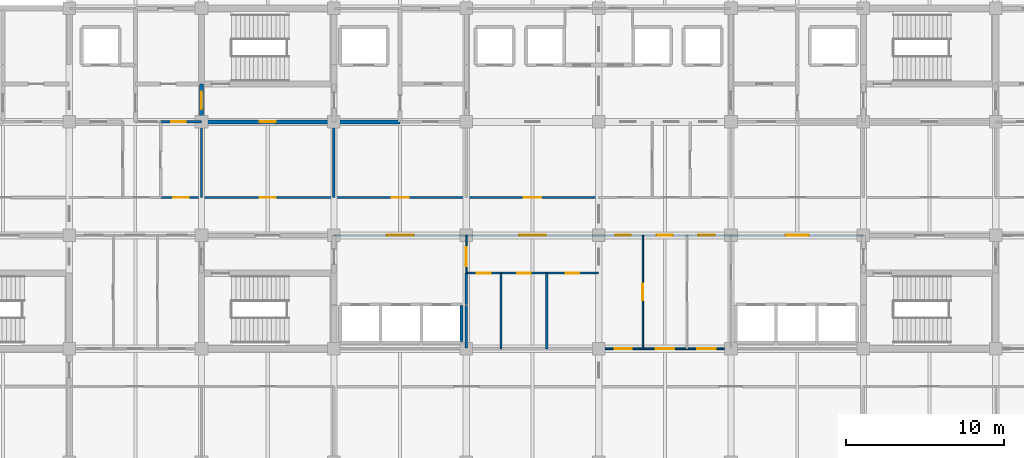
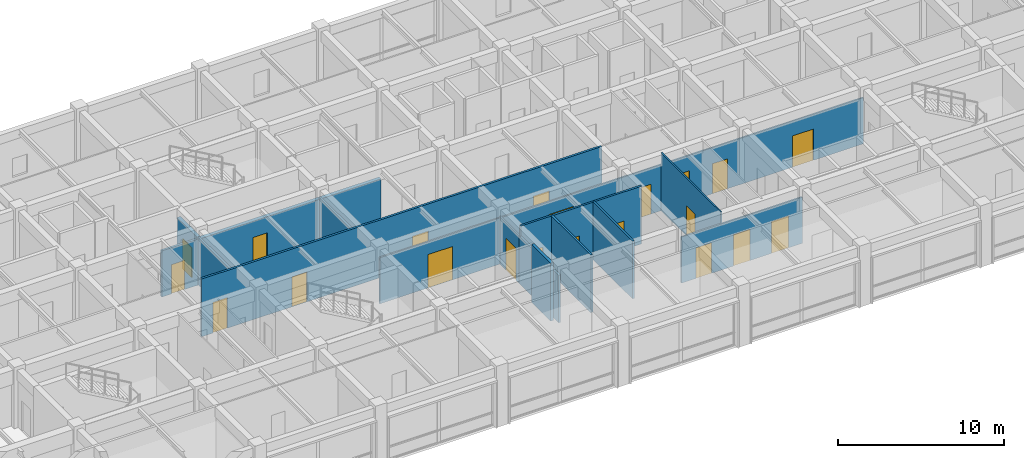
# One storey, part 18 of 30: 21 doors, 16 walls, 21 openings.
"""IFC4 building model written with IfcOpenShell, lengths in metres."""

from ifc_helpers import new_model, si_unit, direction, frame, frame_2d, origin, place, context, subcontext, project, spatial, rectangle, extrude, material, layer, layer_set, type_object, element, fill, save


model = new_model("IFC4")

# Units and contexts
model_context = context("Model", 3, precision=1e-05, world=origin(), true_north=direction((0.0, 1.0)))
body_context = subcontext(model_context, "Body", "Model", "MODEL_VIEW")
ifc_project = project(units=[si_unit("LENGTHUNIT", "METRE"), si_unit("AREAUNIT", "SQUARE_METRE"), si_unit("VOLUMEUNIT", "CUBIC_METRE"), si_unit("PLANEANGLEUNIT", "RADIAN"), si_unit("MASSUNIT", "GRAM", prefix="KILO")], contexts=[model_context])

# Site, building, storey
site_placement = place(None, origin())
site = spatial("IfcSite", under=ifc_project, at=site_placement, CompositionType="ELEMENT")
building_placement = place(site_placement, origin())
building = spatial("IfcBuilding", under=site, at=building_placement, Name="Chengyuan Square Courthouse", CompositionType="ELEMENT")
storey_placement = place(building_placement, frame((0.0, 0.0, 26.10009765625)))
storey = spatial("IfcBuildingStorey", under=building, at=storey_placement, Name="L06", CompositionType="ELEMENT", Elevation=26.10009765625)

# Wall, opening, door
ifc_material_1 = material(Name="Concrete C40", Category="concrete")
ifc_layer_1 = layer(ifc_material_1, 0.25)
ifc_layer_set_1 = layer_set([ifc_layer_1], Name="Concrete C40")
wall_type_1 = type_object("IfcWallType", Name="WL-FW1", PredefinedType="STANDARD", material=ifc_layer_set_1)
wall_1_placement = place(storey_placement, frame((58.800048828125, 100.800048828125, 0.0), z_axis=(0.0, 0.0, 1.0), x_axis=(1.0, 0.0, 0.0)))
wall_1 = element("IfcWall", 1, at=wall_1_placement, inside=storey, type_object=wall_type_1, Name="Interior Wall WL-L06-I2417", PredefinedType="STANDARD", context=body_context, shape_type="SweptSolid", body=[
    extrude(rectangle(XDim=12.599853515625, YDim=0.25, at=frame_2d((6.2998046875, 0.0))), origin(), (0.0, 0.0, 1.0), 3.389892578125),
])
opening_1_placement = place(wall_1_placement, frame((3.699951171875, 0.0, 0.0)))
opening_1 = element("IfcOpeningElement", 2, at=opening_1_placement, cuts=wall_1, Name="Opening DR-2119", PredefinedType="OPENING", context=body_context, shape_type="SweptSolid", body=[
    extrude(rectangle(XDim=1.0, YDim=2.199951171875, at=frame_2d((0.5, 1.10009765625))), frame((0.0, 0.136962890625, 0.0), z_axis=(0.0, -1.0, 0.0), x_axis=(1.0, 0.0, 0.0)), (0.0, 0.0, 1.0), 0.27392578125),
])
ifc_material_2 = material(Name="Steel Q235B Fire Door", Category="steel")
door_type_1 = type_object("IfcDoorType", Name="DT-11", OperationType="NOTDEFINED", PredefinedType="DOOR", material=ifc_material_2)
door_1_placement = place(opening_1_placement, origin())
door_1 = element("IfcDoor", 3, at=door_1_placement, inside=storey, type_object=door_type_1, Name="Interior Door DR-2119", OperationType="SINGLE_SWING_LEFT", OverallHeight=2.199951171875, OverallWidth=1.0, PredefinedType="DOOR", context=body_context, shape_type="SweptSolid", body=[
    extrude(rectangle(XDim=1.0, YDim=2.199951171875, at=frame_2d((0.5, 1.10009765625))), frame((0.0, 0.02490234375, 0.0), z_axis=(0.0, -1.0, 0.0), x_axis=(1.0, 0.0, 0.0)), (0.0, 0.0, 1.0), 0.050048828125),
])
fill(opening_1, door_1)

wall_2_placement = place(storey_placement, frame((58.800048828125, 100.800048828125, 0.0), z_axis=(0.0, 0.0, 1.0), x_axis=(0.0, 1.0, 0.0)))
wall_2 = element("IfcWall", 4, at=wall_2_placement, inside=storey, type_object=wall_type_1, Name="Interior Wall WL-L06-I2513", PredefinedType="STANDARD", context=body_context, shape_type="SweptSolid", body=[
    extrude(rectangle(XDim=2.39990234375, YDim=0.25, at=frame_2d((1.199951171875, 0.0))), origin(), (0.0, 0.0, 1.0), 3.489990234375),
])
opening_2_placement = place(wall_2_placement, frame((0.81005859375, 0.0, 0.0)))
opening_2 = element("IfcOpeningElement", 5, at=opening_2_placement, cuts=wall_2, Name="Opening DR-2118", PredefinedType="OPENING", context=body_context, shape_type="SweptSolid", body=[
    extrude(rectangle(XDim=1.10009765625, YDim=2.199951171875, at=frame_2d((0.550048828125, 1.10009765625))), frame((0.0, 0.136962890625, 0.0), z_axis=(0.0, -1.0, 0.0), x_axis=(1.0, 0.0, 0.0)), (0.0, 0.0, 1.0), 0.27392578125),
])
door_type_2 = type_object("IfcDoorType", Name="DT-10", OperationType="NOTDEFINED", PredefinedType="DOOR", material=ifc_material_2)
door_2_placement = place(opening_2_placement, origin())
door_2 = element("IfcDoor", 6, at=door_2_placement, inside=storey, type_object=door_type_2, Name="Interior Door DR-2118", OperationType="SINGLE_SWING_RIGHT", OverallHeight=2.199951171875, OverallWidth=1.10009765625, PredefinedType="DOOR", context=body_context, shape_type="SweptSolid", body=[
    extrude(rectangle(XDim=1.10009765625, YDim=2.199951171875, at=frame_2d((0.550048828125, 1.10009765625))), frame((0.0, 0.02490234375, 0.0), z_axis=(0.0, -1.0, 0.0), x_axis=(1.0, 0.0, 0.0)), (0.0, 0.0, 1.0), 0.050048828125),
])
fill(opening_2, door_2)

# Wall, openings, doors
ifc_material_3 = material(Name="Deliberation Room Sound-Insulated Partition")
ifc_layer_2 = layer(ifc_material_3, 0.14990234375)
ifc_layer_set_2 = layer_set([ifc_layer_2], Name="Deliberation Room Sound-Insulated Partition")
wall_type_2 = type_object("IfcWallType", Name="WL-PT3", PredefinedType="STANDARD", material=ifc_layer_set_2)
wall_3_placement = place(storey_placement, frame((56.199951171875, 96.0, 0.0), z_axis=(0.0, 0.0, 1.0), x_axis=(1.0, 0.0, 0.0)))
wall_3 = element("IfcWall", 7, at=wall_3_placement, inside=storey, type_object=wall_type_2, Name="Interior Wall WL-L06-I2403", PredefinedType="STANDARD", context=body_context, shape_type="SweptSolid", body=[
    extrude(rectangle(XDim=27.800048828125, YDim=0.14990234375, at=frame_2d((13.89990234375, 0.0))), origin(), (0.0, 0.0, 1.0), 4.239990234375),
])
opening_3_placement = place(wall_3_placement, frame((0.800048828125, 0.0, 0.0)))
opening_3 = element("IfcOpeningElement", 8, at=opening_3_placement, cuts=wall_3, Name="Opening DR-2208", PredefinedType="OPENING", context=body_context, shape_type="SweptSolid", body=[
    extrude(rectangle(XDim=1.0, YDim=2.25, at=frame_2d((0.5, 1.125))), frame((0.0, 0.0869140625, 0.0), z_axis=(0.0, -1.0, 0.0), x_axis=(1.0, 0.0, 0.0)), (0.0, 0.0, 1.0), 0.173828125),
])
opening_4_placement = place(wall_3_placement, frame((6.280029296875, 0.0, 0.0)))
opening_4 = element("IfcOpeningElement", 9, at=opening_4_placement, cuts=wall_3, Name="Opening DR-2209", PredefinedType="OPENING", context=body_context, shape_type="SweptSolid", body=[
    extrude(rectangle(XDim=1.0400390625, YDim=2.199951171875, at=frame_2d((0.52001953125, 1.10009765625))), frame((0.0, 0.0869140625, 0.0), z_axis=(0.0, -1.0, 0.0), x_axis=(1.0, 0.0, 0.0)), (0.0, 0.0, 1.0), 0.173828125),
])
opening_5_placement = place(wall_3_placement, frame((14.659912109375, 0.0, 0.0)))
opening_5 = element("IfcOpeningElement", 10, at=opening_5_placement, cuts=wall_3, Name="Opening DR-2210", PredefinedType="OPENING", context=body_context, shape_type="SweptSolid", body=[
    extrude(rectangle(XDim=1.080078125, YDim=2.25, at=frame_2d((0.5400390625, 1.125))), frame((0.0, 0.0869140625, 0.0), z_axis=(0.0, -1.0, 0.0), x_axis=(1.0, 0.0, 0.0)), (0.0, 0.0, 1.0), 0.173828125),
])
opening_6_placement = place(wall_3_placement, frame((23.0400390625, 0.0, 0.0)))
opening_6 = element("IfcOpeningElement", 11, at=opening_6_placement, cuts=wall_3, Name="Opening DR-2211", PredefinedType="OPENING", context=body_context, shape_type="SweptSolid", body=[
    extrude(rectangle(XDim=1.1201171875, YDim=2.25, at=frame_2d((0.56005859375, 1.125))), frame((0.0, 0.0869140625, 0.0), z_axis=(0.0, -1.0, 0.0), x_axis=(1.0, 0.0, 0.0)), (0.0, 0.0, 1.0), 0.173828125),
])
ifc_material_4 = material(Name="Acoustic Solid-Core Timber Door", Category="wood")
door_type_3 = type_object("IfcDoorType", Name="DT-31", OperationType="NOTDEFINED", PredefinedType="DOOR", material=ifc_material_4)
door_3_placement = place(opening_3_placement, origin())
door_3 = element("IfcDoor", 12, at=door_3_placement, inside=storey, type_object=door_type_3, Name="Interior Door DR-2208", OperationType="SINGLE_SWING_LEFT", OverallHeight=2.25, OverallWidth=1.0, PredefinedType="DOOR", context=body_context, shape_type="SweptSolid", body=[
    extrude(rectangle(XDim=1.0, YDim=2.25, at=frame_2d((0.5, 1.125))), frame((0.0, 0.02490234375, 0.0), z_axis=(0.0, -1.0, 0.0), x_axis=(1.0, 0.0, 0.0)), (0.0, 0.0, 1.0), 0.050048828125),
])
fill(opening_3, door_3)
door_type_4 = type_object("IfcDoorType", Name="DT-32", OperationType="NOTDEFINED", PredefinedType="DOOR", material=ifc_material_4)
door_4_placement = place(opening_4_placement, origin())
door_4 = element("IfcDoor", 13, at=door_4_placement, inside=storey, type_object=door_type_4, Name="Interior Door DR-2209", OperationType="SINGLE_SWING_RIGHT", OverallHeight=2.199951171875, OverallWidth=1.0400390625, PredefinedType="DOOR", context=body_context, shape_type="SweptSolid", body=[
    extrude(rectangle(XDim=1.0400390625, YDim=2.199951171875, at=frame_2d((0.52001953125, 1.10009765625))), frame((0.0, 0.02490234375, 0.0), z_axis=(0.0, -1.0, 0.0), x_axis=(1.0, 0.0, 0.0)), (0.0, 0.0, 1.0), 0.050048828125),
])
fill(opening_4, door_4)
door_type_5 = type_object("IfcDoorType", Name="DT-33", OperationType="NOTDEFINED", PredefinedType="DOOR", material=ifc_material_4)
door_5_placement = place(opening_5_placement, origin())
door_5 = element("IfcDoor", 14, at=door_5_placement, inside=storey, type_object=door_type_5, Name="Interior Door DR-2210", OperationType="SINGLE_SWING_LEFT", OverallHeight=2.25, OverallWidth=1.080078125, PredefinedType="DOOR", context=body_context, shape_type="SweptSolid", body=[
    extrude(rectangle(XDim=1.080078125, YDim=2.25, at=frame_2d((0.5400390625, 1.125))), frame((0.0, 0.02490234375, 0.0), z_axis=(0.0, -1.0, 0.0), x_axis=(1.0, 0.0, 0.0)), (0.0, 0.0, 1.0), 0.050048828125),
])
fill(opening_5, door_5)
door_type_6 = type_object("IfcDoorType", Name="DT-34", OperationType="NOTDEFINED", PredefinedType="DOOR", material=ifc_material_4)
door_6_placement = place(opening_6_placement, origin())
door_6 = element("IfcDoor", 15, at=door_6_placement, inside=storey, type_object=door_type_6, Name="Interior Door DR-2211", OperationType="SINGLE_SWING_RIGHT", OverallHeight=2.25, OverallWidth=1.1201171875, PredefinedType="DOOR", context=body_context, shape_type="SweptSolid", body=[
    extrude(rectangle(XDim=1.1201171875, YDim=2.25, at=frame_2d((0.56005859375, 1.125))), frame((0.0, 0.02490234375, 0.0), z_axis=(0.0, -1.0, 0.0), x_axis=(1.0, 0.0, 0.0)), (0.0, 0.0, 1.0), 0.050048828125),
])
fill(opening_6, door_6)

# Wall, opening, door
wall_4_placement = place(storey_placement, frame((56.199951171875, 100.800048828125, 0.0), z_axis=(0.0, 0.0, 1.0), x_axis=(1.0, 0.0, 0.0)))
wall_4 = element("IfcWall", 16, at=wall_4_placement, inside=storey, type_object=wall_type_2, Name="Interior Wall WL-L06-I2416", PredefinedType="STANDARD", context=body_context, shape_type="SweptSolid", body=[
    extrude(rectangle(XDim=2.60009765625, YDim=0.14990234375, at=frame_2d((1.300048828125, 0.0))), origin(), (0.0, 0.0, 1.0), 3.389892578125),
])
opening_7_placement = place(wall_4_placement, frame((0.68994140625, 0.0, 0.0)))
opening_7 = element("IfcOpeningElement", 17, at=opening_7_placement, cuts=wall_4, Name="Opening DR-2170", PredefinedType="OPENING", context=body_context, shape_type="SweptSolid", body=[
    extrude(rectangle(XDim=0.89990234375, YDim=2.14990234375, at=frame_2d((0.449951171875, 1.074951171875))), frame((0.0, 0.0869140625, 0.0), z_axis=(0.0, -1.0, 0.0), x_axis=(1.0, 0.0, 0.0)), (0.0, 0.0, 1.0), 0.173828125),
])
door_type_7 = type_object("IfcDoorType", Name="DT-27", OperationType="NOTDEFINED", PredefinedType="DOOR", material=ifc_material_4)
door_7_placement = place(opening_7_placement, origin())
door_7 = element("IfcDoor", 18, at=door_7_placement, inside=storey, type_object=door_type_7, Name="Interior Door DR-2170", OperationType="SINGLE_SWING_LEFT", OverallHeight=2.14990234375, OverallWidth=0.89990234375, PredefinedType="DOOR", context=body_context, shape_type="SweptSolid", body=[
    extrude(rectangle(XDim=0.89990234375, YDim=2.14990234375, at=frame_2d((0.449951171875, 1.074951171875))), frame((0.0, 0.02490234375, 0.0), z_axis=(0.0, -1.0, 0.0), x_axis=(1.0, 0.0, 0.0)), (0.0, 0.0, 1.0), 0.050048828125),
])
fill(opening_7, door_7)

# Walls
for number, where, z_axis, x_axis, name in (
    (19, (58.800048828125, 96.0, 0.0), (0.0, 0.0, 1.0), (0.0, 1.0, 0.0), "Interior Wall WL-L06-I2512"),
    (20, (67.199951171875, 96.0, 0.0), (0.0, 0.0, 1.0), (0.0, 1.0, 0.0), "Interior Wall WL-L06-I2520"),
):
    element("IfcWall", number, at=place(storey_placement, frame(where, z_axis=z_axis, x_axis=x_axis)), inside=storey, type_object=wall_type_2, Name=name, PredefinedType="STANDARD", context=body_context, shape_type="SweptSolid", body=[
        extrude(rectangle(XDim=4.800048828125, YDim=0.14990234375, at=frame_2d((2.39990234375, 0.0))), origin(), (0.0, 0.0, 1.0), 3.489990234375),
    ])

# Wall, openings, doors
ifc_material_5 = material(Name="Moisture-Resistant Masonry Wet-Room Partition", Category="masonry")
ifc_layer_3 = layer(ifc_material_5, 0.139892578125)
ifc_layer_set_3 = layer_set([ifc_layer_3], Name="Moisture-Resistant Masonry Wet-Room Partition")
wall_type_3 = type_object("IfcWallType", Name="WL-PT4", PredefinedType="STANDARD", material=ifc_layer_set_3)
wall_5_placement = place(storey_placement, frame((75.60009765625, 91.199951171875, 0.0), z_axis=(0.0, 0.0, 1.0), x_axis=(1.0, 0.0, 0.0)))
wall_5 = element("IfcWall", 21, at=wall_5_placement, inside=storey, type_object=wall_type_3, Name="Interior Wall WL-L06-I2388", PredefinedType="STANDARD", context=body_context, shape_type="SweptSolid", body=[
    extrude(rectangle(XDim=8.39990234375, YDim=0.139892578125, at=frame_2d((4.199951171875, 0.0))), origin(), (0.0, 0.0, 1.0), 4.239990234375),
])
opening_8_placement = place(wall_5_placement, frame((0.64990234375, 0.0, 0.0)))
opening_8 = element("IfcOpeningElement", 22, at=opening_8_placement, cuts=wall_5, Name="Opening DR-2190", PredefinedType="OPENING", context=body_context, shape_type="SweptSolid", body=[
    extrude(rectangle(XDim=0.89990234375, YDim=2.14990234375, at=frame_2d((0.449951171875, 1.074951171875))), frame((0.0, 0.08203125, 0.0), z_axis=(0.0, -1.0, 0.0), x_axis=(1.0, 0.0, 0.0)), (0.0, 0.0, 1.0), 0.163818359375),
])
opening_9_placement = place(wall_5_placement, frame((3.219970703125, 0.0, 0.0)))
opening_9 = element("IfcOpeningElement", 23, at=opening_9_placement, cuts=wall_5, Name="Opening DR-2191", PredefinedType="OPENING", context=body_context, shape_type="SweptSolid", body=[
    extrude(rectangle(XDim=0.860107421875, YDim=2.10009765625, at=frame_2d((0.43017578125, 1.050048828125))), frame((0.0, 0.08203125, 0.0), z_axis=(0.0, -1.0, 0.0), x_axis=(1.0, 0.0, 0.0)), (0.0, 0.0, 1.0), 0.163818359375),
])
opening_10_placement = place(wall_5_placement, frame((6.320068359375, 0.0, 0.0)))
opening_10 = element("IfcOpeningElement", 24, at=opening_10_placement, cuts=wall_5, Name="Opening DR-2192", PredefinedType="OPENING", context=body_context, shape_type="SweptSolid", body=[
    extrude(rectangle(XDim=0.860107421875, YDim=2.10009765625, at=frame_2d((0.43017578125, 1.050048828125))), frame((0.0, 0.08203125, 0.0), z_axis=(0.0, -1.0, 0.0), x_axis=(1.0, 0.0, 0.0)), (0.0, 0.0, 1.0), 0.163818359375),
])
door_8_placement = place(opening_8_placement, origin())
door_8 = element("IfcDoor", 25, at=door_8_placement, inside=storey, type_object=door_type_7, Name="Interior Door DR-2190", OperationType="SINGLE_SWING_LEFT", OverallHeight=2.14990234375, OverallWidth=0.89990234375, PredefinedType="DOOR", context=body_context, shape_type="SweptSolid", body=[
    extrude(rectangle(XDim=0.89990234375, YDim=2.14990234375, at=frame_2d((0.449951171875, 1.074951171875))), frame((0.0, 0.02490234375, 0.0), z_axis=(0.0, -1.0, 0.0), x_axis=(1.0, 0.0, 0.0)), (0.0, 0.0, 1.0), 0.050048828125),
])
fill(opening_8, door_8)
door_type_8 = type_object("IfcDoorType", Name="DT-28", OperationType="NOTDEFINED", PredefinedType="DOOR", material=ifc_material_4)
door_9_placement = place(opening_9_placement, origin())
door_9 = element("IfcDoor", 26, at=door_9_placement, inside=storey, type_object=door_type_8, Name="Interior Door DR-2191", OperationType="SINGLE_SWING_RIGHT", OverallHeight=2.10009765625, OverallWidth=0.860107421875, PredefinedType="DOOR", context=body_context, shape_type="SweptSolid", body=[
    extrude(rectangle(XDim=0.860107421875, YDim=2.10009765625, at=frame_2d((0.43017578125, 1.050048828125))), frame((0.0, 0.02490234375, 0.0), z_axis=(0.0, -1.0, 0.0), x_axis=(1.0, 0.0, 0.0)), (0.0, 0.0, 1.0), 0.050048828125),
])
fill(opening_9, door_9)
door_10_placement = place(opening_10_placement, origin())
door_10 = element("IfcDoor", 27, at=door_10_placement, inside=storey, type_object=door_type_8, Name="Interior Door DR-2192", OperationType="SINGLE_SWING_LEFT", OverallHeight=2.10009765625, OverallWidth=0.860107421875, PredefinedType="DOOR", context=body_context, shape_type="SweptSolid", body=[
    extrude(rectangle(XDim=0.860107421875, YDim=2.10009765625, at=frame_2d((0.43017578125, 1.050048828125))), frame((0.0, 0.02490234375, 0.0), z_axis=(0.0, -1.0, 0.0), x_axis=(1.0, 0.0, 0.0)), (0.0, 0.0, 1.0), 0.050048828125),
])
fill(opening_10, door_10)

# Walls
wall_6_placement = place(storey_placement, frame((75.60009765625, 86.449951171875, 0.0), z_axis=(0.0, 0.0, 1.0), x_axis=(0.0, 1.0, 0.0)))
element("IfcWall", 28, at=wall_6_placement, inside=storey, type_object=wall_type_3, Name="Interior Wall WL-L06-I2533", PredefinedType="STANDARD", context=body_context, shape_type="SweptSolid", body=[
    extrude(rectangle(XDim=2.699951171875, YDim=0.139892578125, at=frame_2d((1.35009765625, 0.0))), origin(), (0.0, 0.0, 1.0), 3.489990234375),
])
wall_7_placement = place(storey_placement, frame((75.60009765625, 89.199951171875, 0.0), z_axis=(0.0, 0.0, 1.0), x_axis=(0.0, 1.0, 0.0)))
element("IfcWall", 29, at=wall_7_placement, inside=storey, type_object=wall_type_3, Name="Interior Wall WL-L06-I2534", PredefinedType="STANDARD", context=body_context, shape_type="SweptSolid", body=[
    extrude(rectangle(XDim=2.0, YDim=0.139892578125, at=frame_2d((1.0, 0.0))), origin(), (0.0, 0.0, 1.0), 3.489990234375),
])
for number, where, z_axis, x_axis, name in (
    (30, (77.800048828125, 86.39990234375, 0.0), (0.0, 0.0, 1.0), (0.0, 1.0, 0.0), "Interior Wall WL-L06-I2541"),
    (31, (80.699951171875, 86.39990234375, 0.0), (0.0, 0.0, 1.0), (0.0, 1.0, 0.0), "Interior Wall WL-L06-I2544"),
):
    element("IfcWall", number, at=place(storey_placement, frame(where, z_axis=z_axis, x_axis=x_axis)), inside=storey, type_object=wall_type_3, Name=name, PredefinedType="STANDARD", context=body_context, shape_type="SweptSolid", body=[
        extrude(rectangle(XDim=4.800048828125, YDim=0.139892578125, at=frame_2d((2.39990234375, 0.0))), origin(), (0.0, 0.0, 1.0), 4.239990234375),
    ])

# Wall, openings, doors
ifc_material_6 = material(Name="Gypsum Plasterboard Acoustic Stud Partition")
ifc_layer_4 = layer(ifc_material_6, 0.10009765625)
ifc_layer_set_4 = layer_set([ifc_layer_4], Name="Gypsum Plasterboard Acoustic Stud Partition")
wall_type_4 = type_object("IfcWallType", Name="WL-PT6", PredefinedType="STANDARD", material=ifc_layer_set_4)
wall_8_placement = place(storey_placement, frame((84.0, 86.39990234375, 0.0), z_axis=(0.0, 0.0, 1.0), x_axis=(1.0, 0.0, 0.0)))
wall_8 = element("IfcWall", 32, at=wall_8_placement, inside=storey, type_object=wall_type_4, Name="Interior Wall WL-L06-I2372", PredefinedType="STANDARD", context=body_context, shape_type="SweptSolid", body=[
    extrude(rectangle(XDim=8.39990234375, YDim=0.10009765625, at=frame_2d((4.199951171875, 0.0))), origin(), (0.0, 0.0, 1.0), 3.389892578125),
])
opening_11_placement = place(wall_8_placement, frame((1.02001953125, 0.0, 0.0)))
opening_11 = element("IfcOpeningElement", 33, at=opening_11_placement, cuts=wall_8, Name="Opening DR-2261", PredefinedType="OPENING", context=body_context, shape_type="SweptSolid", body=[
    extrude(rectangle(XDim=1.080078125, YDim=2.25, at=frame_2d((0.5400390625, 1.125))), frame((0.0, 0.06201171875, 0.0), z_axis=(0.0, -1.0, 0.0), x_axis=(1.0, 0.0, 0.0)), (0.0, 0.0, 1.0), 0.1240234375),
])
opening_12_placement = place(wall_8_placement, frame((3.6201171875, 0.0, 0.0)))
opening_12 = element("IfcOpeningElement", 34, at=opening_12_placement, cuts=wall_8, Name="Opening DR-2263", PredefinedType="OPENING", context=body_context, shape_type="SweptSolid", body=[
    extrude(rectangle(XDim=1.159912109375, YDim=2.300048828125, at=frame_2d((0.580078125, 1.14990234375))), frame((0.0, 0.06201171875, 0.0), z_axis=(0.0, -1.0, 0.0), x_axis=(1.0, 0.0, 0.0)), (0.0, 0.0, 1.0), 0.1240234375),
])
opening_13_placement = place(wall_8_placement, frame((6.239990234375, 0.0, 0.0)))
opening_13 = element("IfcOpeningElement", 35, at=opening_13_placement, cuts=wall_8, Name="Opening DR-2264", PredefinedType="OPENING", context=body_context, shape_type="SweptSolid", body=[
    extrude(rectangle(XDim=1.199951171875, YDim=2.35009765625, at=frame_2d((0.60009765625, 1.175048828125))), frame((0.0, 0.06201171875, 0.0), z_axis=(0.0, -1.0, 0.0), x_axis=(1.0, 0.0, 0.0)), (0.0, 0.0, 1.0), 0.1240234375),
])
door_11_placement = place(opening_11_placement, origin())
door_11 = element("IfcDoor", 36, at=door_11_placement, inside=storey, type_object=door_type_5, Name="Interior Door DR-2261", OperationType="SINGLE_SWING_RIGHT", OverallHeight=2.25, OverallWidth=1.080078125, PredefinedType="DOOR", context=body_context, shape_type="SweptSolid", body=[
    extrude(rectangle(XDim=1.080078125, YDim=2.25, at=frame_2d((0.5400390625, 1.125))), frame((0.0, 0.02490234375, 0.0), z_axis=(0.0, -1.0, 0.0), x_axis=(1.0, 0.0, 0.0)), (0.0, 0.0, 1.0), 0.050048828125),
])
fill(opening_11, door_11)
door_type_9 = type_object("IfcDoorType", Name="DT-35", OperationType="NOTDEFINED", PredefinedType="DOOR", material=ifc_material_4)
door_12_placement = place(opening_12_placement, origin())
door_12 = element("IfcDoor", 37, at=door_12_placement, inside=storey, type_object=door_type_9, Name="Interior Door DR-2263", OperationType="SINGLE_SWING_RIGHT", OverallHeight=2.300048828125, OverallWidth=1.159912109375, PredefinedType="DOOR", context=body_context, shape_type="SweptSolid", body=[
    extrude(rectangle(XDim=1.159912109375, YDim=2.300048828125, at=frame_2d((0.580078125, 1.14990234375))), frame((0.0, 0.02490234375, 0.0), z_axis=(0.0, -1.0, 0.0), x_axis=(1.0, 0.0, 0.0)), (0.0, 0.0, 1.0), 0.050048828125),
])
fill(opening_12, door_12)
door_type_10 = type_object("IfcDoorType", Name="DT-36", OperationType="NOTDEFINED", PredefinedType="DOOR", material=ifc_material_4)
door_13_placement = place(opening_13_placement, origin())
door_13 = element("IfcDoor", 38, at=door_13_placement, inside=storey, type_object=door_type_10, Name="Interior Door DR-2264", OperationType="SINGLE_SWING_LEFT", OverallHeight=2.35009765625, OverallWidth=1.199951171875, PredefinedType="DOOR", context=body_context, shape_type="SweptSolid", body=[
    extrude(rectangle(XDim=1.199951171875, YDim=2.35009765625, at=frame_2d((0.60009765625, 1.175048828125))), frame((0.0, 0.02490234375, 0.0), z_axis=(0.0, -1.0, 0.0), x_axis=(1.0, 0.0, 0.0)), (0.0, 0.0, 1.0), 0.050048828125),
])
fill(opening_13, door_13)

wall_9_placement = place(storey_placement, frame((67.199951171875, 93.60009765625, 0.0), z_axis=(0.0, 0.0, 1.0), x_axis=(1.0, 0.0, 0.0)))
wall_9 = element("IfcWall", 39, at=wall_9_placement, inside=storey, type_object=wall_type_4, Name="Interior Wall WL-L06-I2395", PredefinedType="STANDARD", context=body_context, shape_type="SweptSolid", body=[
    extrude(rectangle(XDim=33.60009765625, YDim=0.10009765625, at=frame_2d((16.800048828125, 0.0))), origin(), (0.0, 0.0, 1.0), 3.389892578125),
])
opening_14_placement = place(wall_9_placement, frame((3.35009765625, 0.0, 0.0)))
opening_14 = element("IfcOpeningElement", 40, at=opening_14_placement, cuts=wall_9, Name="Opening DR-2163", PredefinedType="OPENING", context=body_context, shape_type="SweptSolid", body=[
    extrude(rectangle(XDim=1.699951171875, YDim=2.449951171875, at=frame_2d((0.85009765625, 1.22509765625))), frame((0.0, 0.06201171875, 0.0), z_axis=(0.0, -1.0, 0.0), x_axis=(1.0, 0.0, 0.0)), (0.0, 0.0, 1.0), 0.1240234375),
])
opening_15_placement = place(wall_9_placement, frame((28.675048828125, 0.0, 0.0)))
opening_15 = element("IfcOpeningElement", 41, at=opening_15_placement, cuts=wall_9, Name="Opening DR-2164", PredefinedType="OPENING", context=body_context, shape_type="SweptSolid", body=[
    extrude(rectangle(XDim=1.449951171875, YDim=2.300048828125, at=frame_2d((0.72509765625, 1.14990234375))), frame((0.0, 0.06201171875, 0.0), z_axis=(0.0, -1.0, 0.0), x_axis=(1.0, 0.0, 0.0)), (0.0, 0.0, 1.0), 0.1240234375),
])
opening_16_placement = place(wall_9_placement, frame((11.75, 0.0, 0.0)))
opening_16 = element("IfcOpeningElement", 42, at=opening_16_placement, cuts=wall_9, Name="Opening DR-2193", PredefinedType="OPENING", context=body_context, shape_type="SweptSolid", body=[
    extrude(rectangle(XDim=1.699951171875, YDim=2.449951171875, at=frame_2d((0.85009765625, 1.22509765625))), frame((0.0, 0.06201171875, 0.0), z_axis=(0.0, -1.0, 0.0), x_axis=(1.0, 0.0, 0.0)), (0.0, 0.0, 1.0), 0.1240234375),
])
opening_17_placement = place(wall_9_placement, frame((17.8798828125, 0.0, 0.0)))
opening_17 = element("IfcOpeningElement", 43, at=opening_17_placement, cuts=wall_9, Name="Opening DR-2224", PredefinedType="OPENING", context=body_context, shape_type="SweptSolid", body=[
    extrude(rectangle(XDim=0.9599609375, YDim=2.199951171875, at=frame_2d((0.47998046875, 1.10009765625))), frame((0.0, 0.06201171875, 0.0), z_axis=(0.0, -1.0, 0.0), x_axis=(1.0, 0.0, 0.0)), (0.0, 0.0, 1.0), 0.1240234375),
])
opening_18_placement = place(wall_9_placement, frame((20.5, 0.0, 0.0)))
opening_18 = element("IfcOpeningElement", 44, at=opening_18_placement, cuts=wall_9, Name="Opening DR-2225", PredefinedType="OPENING", context=body_context, shape_type="SweptSolid", body=[
    extrude(rectangle(XDim=1.0, YDim=2.25, at=frame_2d((0.5, 1.125))), frame((0.0, 0.06201171875, 0.0), z_axis=(0.0, -1.0, 0.0), x_axis=(1.0, 0.0, 0.0)), (0.0, 0.0, 1.0), 0.1240234375),
])
opening_19_placement = place(wall_9_placement, frame((23.1201171875, 0.0, 0.0)))
opening_19 = element("IfcOpeningElement", 45, at=opening_19_placement, cuts=wall_9, Name="Opening DR-2226", PredefinedType="OPENING", context=body_context, shape_type="SweptSolid", body=[
    extrude(rectangle(XDim=1.0400390625, YDim=2.199951171875, at=frame_2d((0.52001953125, 1.10009765625))), frame((0.0, 0.06201171875, 0.0), z_axis=(0.0, -1.0, 0.0), x_axis=(1.0, 0.0, 0.0)), (0.0, 0.0, 1.0), 0.1240234375),
])
ifc_material_7 = material(Name="Acoustic Larch Veneer Double Door")
door_type_11 = type_object("IfcDoorType", Name="DT-24", OperationType="DOUBLE_DOOR_SINGLE_SWING", PredefinedType="DOOR", material=ifc_material_7)
door_14_placement = place(opening_14_placement, frame((1.699951171875, 0.0, 0.0), z_axis=(0.0, 0.0, 1.0), x_axis=(-1.0, 0.0, 0.0)))
door_14 = element("IfcDoor", 46, at=door_14_placement, inside=storey, type_object=door_type_11, Name="Interior Door DR-2163", OperationType="DOUBLE_DOOR_SINGLE_SWING", OverallHeight=2.449951171875, OverallWidth=1.699951171875, PredefinedType="DOOR", context=body_context, shape_type="SweptSolid", body=[
    extrude(rectangle(XDim=1.699951171875, YDim=2.449951171875, at=frame_2d((0.85009765625, 1.22509765625))), frame((0.0, 0.02490234375, 0.0), z_axis=(0.0, -1.0, 0.0), x_axis=(1.0, 0.0, 0.0)), (0.0, 0.0, 1.0), 0.050048828125),
])
fill(opening_14, door_14)
door_15_placement = place(opening_16_placement, frame((1.699951171875, 0.0, 0.0), z_axis=(0.0, 0.0, 1.0), x_axis=(-1.0, 0.0, 0.0)))
door_15 = element("IfcDoor", 47, at=door_15_placement, inside=storey, type_object=door_type_11, Name="Interior Door DR-2193", OperationType="DOUBLE_DOOR_SINGLE_SWING", OverallHeight=2.449951171875, OverallWidth=1.699951171875, PredefinedType="DOOR", context=body_context, shape_type="SweptSolid", body=[
    extrude(rectangle(XDim=1.699951171875, YDim=2.449951171875, at=frame_2d((0.85009765625, 1.22509765625))), frame((0.0, 0.02490234375, 0.0), z_axis=(0.0, -1.0, 0.0), x_axis=(1.0, 0.0, 0.0)), (0.0, 0.0, 1.0), 0.050048828125),
])
fill(opening_16, door_15)
door_type_12 = type_object("IfcDoorType", Name="DT-25", OperationType="DOUBLE_DOOR_SINGLE_SWING", PredefinedType="DOOR", material=ifc_material_7)
door_16_placement = place(opening_15_placement, frame((1.449951171875, 0.0, 0.0), z_axis=(0.0, 0.0, 1.0), x_axis=(-1.0, 0.0, 0.0)))
door_16 = element("IfcDoor", 48, at=door_16_placement, inside=storey, type_object=door_type_12, Name="Interior Door DR-2164", OperationType="DOUBLE_DOOR_SINGLE_SWING", OverallHeight=2.300048828125, OverallWidth=1.449951171875, PredefinedType="DOOR", context=body_context, shape_type="SweptSolid", body=[
    extrude(rectangle(XDim=1.449951171875, YDim=2.300048828125, at=frame_2d((0.72509765625, 1.14990234375))), frame((0.0, 0.02490234375, 0.0), z_axis=(0.0, -1.0, 0.0), x_axis=(1.0, 0.0, 0.0)), (0.0, 0.0, 1.0), 0.050048828125),
])
fill(opening_15, door_16)
door_type_13 = type_object("IfcDoorType", Name="DT-30", OperationType="NOTDEFINED", PredefinedType="DOOR", material=ifc_material_4)
door_17_placement = place(opening_17_placement, origin())
door_17 = element("IfcDoor", 49, at=door_17_placement, inside=storey, type_object=door_type_13, Name="Interior Door DR-2224", OperationType="SINGLE_SWING_LEFT", OverallHeight=2.199951171875, OverallWidth=0.9599609375, PredefinedType="DOOR", context=body_context, shape_type="SweptSolid", body=[
    extrude(rectangle(XDim=0.9599609375, YDim=2.199951171875, at=frame_2d((0.47998046875, 1.10009765625))), frame((0.0, 0.02490234375, 0.0), z_axis=(0.0, -1.0, 0.0), x_axis=(1.0, 0.0, 0.0)), (0.0, 0.0, 1.0), 0.050048828125),
])
fill(opening_17, door_17)
door_18_placement = place(opening_18_placement, origin())
door_18 = element("IfcDoor", 50, at=door_18_placement, inside=storey, type_object=door_type_3, Name="Interior Door DR-2225", OperationType="SINGLE_SWING_RIGHT", OverallHeight=2.25, OverallWidth=1.0, PredefinedType="DOOR", context=body_context, shape_type="SweptSolid", body=[
    extrude(rectangle(XDim=1.0, YDim=2.25, at=frame_2d((0.5, 1.125))), frame((0.0, 0.02490234375, 0.0), z_axis=(0.0, -1.0, 0.0), x_axis=(1.0, 0.0, 0.0)), (0.0, 0.0, 1.0), 0.050048828125),
])
fill(opening_18, door_18)
door_19_placement = place(opening_19_placement, origin())
door_19 = element("IfcDoor", 51, at=door_19_placement, inside=storey, type_object=door_type_4, Name="Interior Door DR-2226", OperationType="SINGLE_SWING_LEFT", OverallHeight=2.199951171875, OverallWidth=1.0400390625, PredefinedType="DOOR", context=body_context, shape_type="SweptSolid", body=[
    extrude(rectangle(XDim=1.0400390625, YDim=2.199951171875, at=frame_2d((0.52001953125, 1.10009765625))), frame((0.0, 0.02490234375, 0.0), z_axis=(0.0, -1.0, 0.0), x_axis=(1.0, 0.0, 0.0)), (0.0, 0.0, 1.0), 0.050048828125),
])
fill(opening_19, door_19)

# Wall, opening, door
wall_10_placement = place(storey_placement, frame((75.60009765625, 91.199951171875, 0.0), z_axis=(0.0, 0.0, 1.0), x_axis=(0.0, 1.0, 0.0)))
wall_10 = element("IfcWall", 52, at=wall_10_placement, inside=storey, type_object=wall_type_4, Name="Interior Wall WL-L06-I2535", PredefinedType="STANDARD", context=body_context, shape_type="SweptSolid", body=[
    extrude(rectangle(XDim=2.400146484375, YDim=0.10009765625, at=frame_2d((1.2001953125, 0.0))), origin(), (0.0, 0.0, 1.0), 3.489990234375),
])
opening_20_placement = place(wall_10_placement, frame((0.43994140625, 0.0, 0.0)))
opening_20 = element("IfcOpeningElement", 53, at=opening_20_placement, cuts=wall_10, Name="Opening DR-2162", PredefinedType="OPENING", context=body_context, shape_type="SweptSolid", body=[
    extrude(rectangle(XDim=1.199951171875, YDim=2.35009765625, at=frame_2d((0.60009765625, 1.175048828125))), frame((0.0, 0.06201171875, 0.0), z_axis=(0.0, -1.0, 0.0), x_axis=(1.0, 0.0, 0.0)), (0.0, 0.0, 1.0), 0.1240234375),
])
door_20_placement = place(opening_20_placement, origin())
door_20 = element("IfcDoor", 54, at=door_20_placement, inside=storey, type_object=door_type_10, Name="Interior Door DR-2162", OperationType="SINGLE_SWING_LEFT", OverallHeight=2.35009765625, OverallWidth=1.199951171875, PredefinedType="DOOR", context=body_context, shape_type="SweptSolid", body=[
    extrude(rectangle(XDim=1.199951171875, YDim=2.35009765625, at=frame_2d((0.60009765625, 1.175048828125))), frame((0.0, 0.02490234375, 0.0), z_axis=(0.0, -1.0, 0.0), x_axis=(1.0, 0.0, 0.0)), (0.0, 0.0, 1.0), 0.050048828125),
])
fill(opening_20, door_20)

wall_11_placement = place(storey_placement, frame((86.800048828125, 86.39990234375, 0.0), z_axis=(0.0, 0.0, 1.0), x_axis=(0.0, 1.0, 0.0)))
wall_11 = element("IfcWall", 55, at=wall_11_placement, inside=storey, type_object=wall_type_4, Name="Interior Wall WL-L06-I2550", PredefinedType="STANDARD", context=body_context, shape_type="SweptSolid", body=[
    extrude(rectangle(XDim=7.2001953125, YDim=0.10009765625, at=frame_2d((3.60009765625, 0.0))), origin(), (0.0, 0.0, 1.0), 4.239990234375),
])
opening_21_placement = place(wall_11_placement, frame((3.080078125, 0.0, 0.0)))
opening_21 = element("IfcOpeningElement", 56, at=opening_21_placement, cuts=wall_11, Name="Opening DR-2260", PredefinedType="OPENING", context=body_context, shape_type="SweptSolid", body=[
    extrude(rectangle(XDim=1.0400390625, YDim=2.199951171875, at=frame_2d((0.52001953125, 1.10009765625))), frame((0.0, 0.06201171875, 0.0), z_axis=(0.0, -1.0, 0.0), x_axis=(1.0, 0.0, 0.0)), (0.0, 0.0, 1.0), 0.1240234375),
])
door_21_placement = place(opening_21_placement, origin())
door_21 = element("IfcDoor", 57, at=door_21_placement, inside=storey, type_object=door_type_4, Name="Interior Door DR-2260", OperationType="SINGLE_SWING_LEFT", OverallHeight=2.199951171875, OverallWidth=1.0400390625, PredefinedType="DOOR", context=body_context, shape_type="SweptSolid", body=[
    extrude(rectangle(XDim=1.0400390625, YDim=2.199951171875, at=frame_2d((0.52001953125, 1.10009765625))), frame((0.0, 0.02490234375, 0.0), z_axis=(0.0, -1.0, 0.0), x_axis=(1.0, 0.0, 0.0)), (0.0, 0.0, 1.0), 0.050048828125),
])
fill(opening_21, door_21)

# Wall
ifc_material_8 = material(Name="Reinforced Masonry Shaft Enclosure", Category="masonry")
ifc_layer_5 = layer(ifc_material_8, 0.199951171875)
ifc_layer_set_5 = layer_set([ifc_layer_5], Name="Reinforced Masonry Shaft Enclosure")
wall_type_5 = type_object("IfcWallType", Name="WL-SH1", PredefinedType="STANDARD", material=ifc_layer_set_5)
wall_12_placement = place(storey_placement, frame((75.300048828125, 86.85009765625, 0.0), z_axis=(0.0, 0.0, 1.0), x_axis=(0.0, 1.0, 0.0)))
element("IfcWall", 58, at=wall_12_placement, inside=storey, type_object=wall_type_5, Name="Interior Wall WL-L06-I2532", PredefinedType="STANDARD", context=body_context, shape_type="SweptSolid", body=[
    extrude(rectangle(XDim=2.2998046875, YDim=0.199951171875, at=frame_2d((1.14990234375, 0.0))), origin(), (0.0, 0.0, 1.0), 4.239990234375),
])

save(model, "model.ifc")
